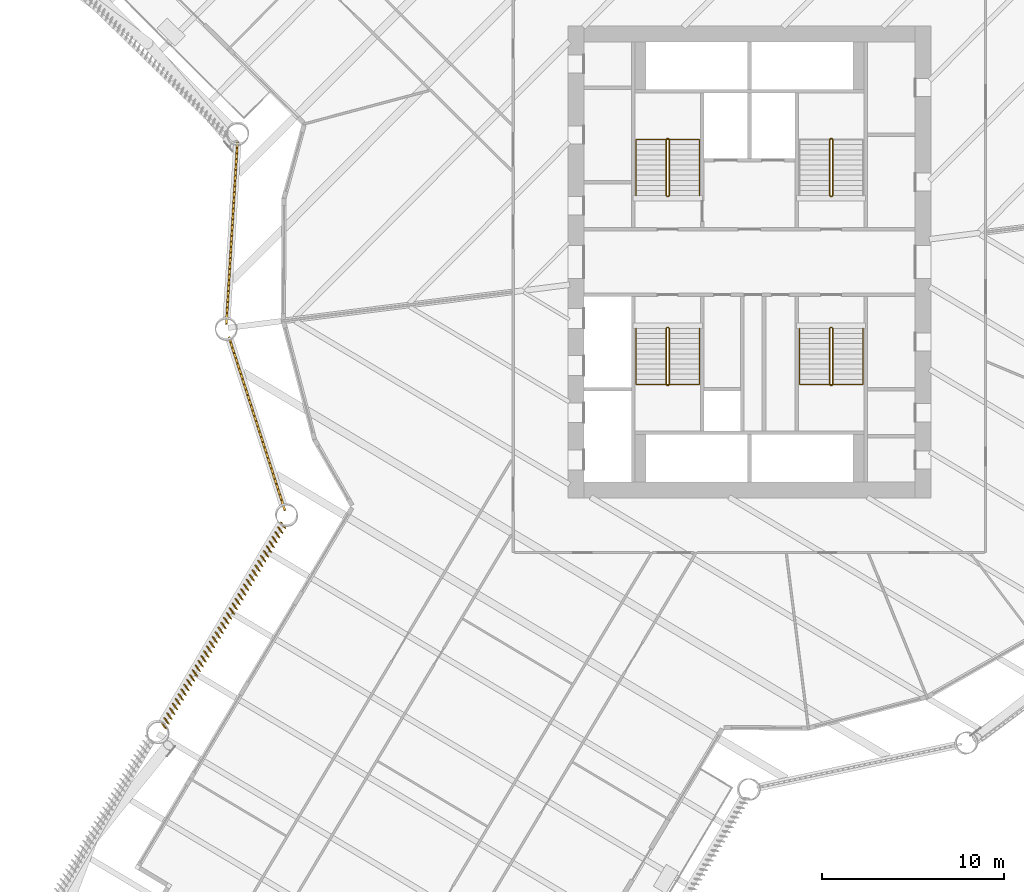
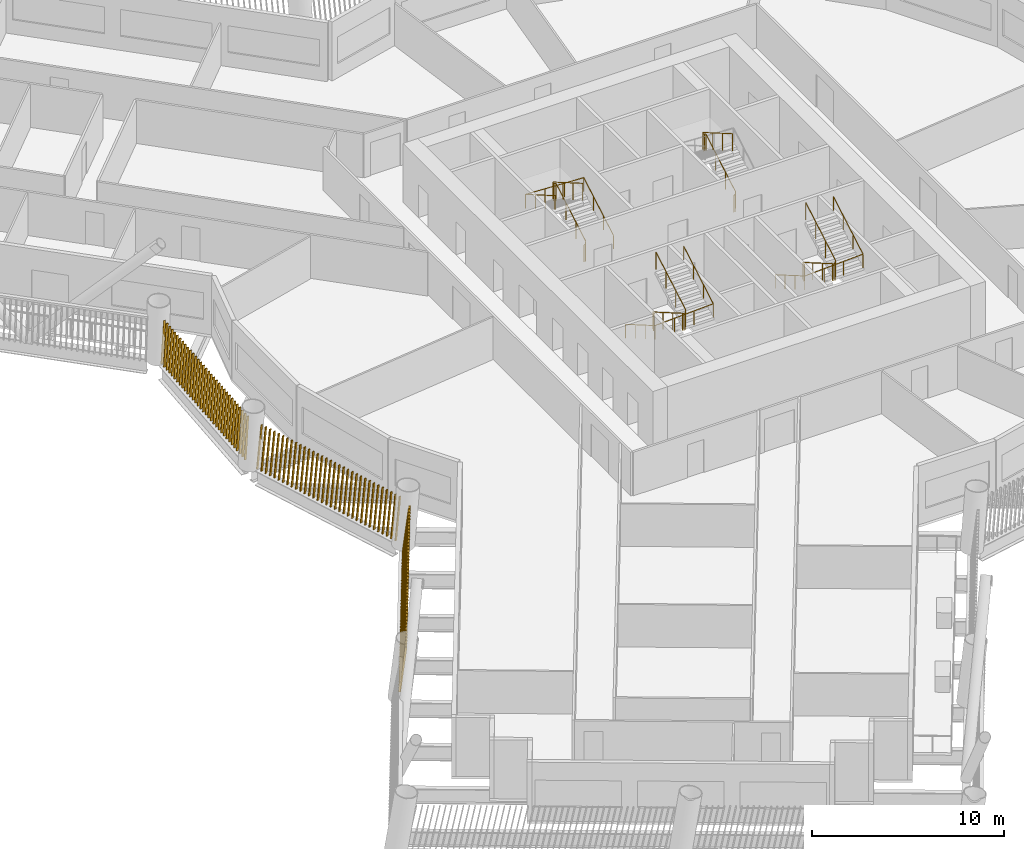
# One storey, part 19 of 22: 7 railings, 3 shading devices.
"""IFC4 building model written with IfcOpenShell, lengths in metres."""

from ifc_helpers import new_model, si_unit, direction, frame, frame_2d, origin, origin_2d, place, context, subcontext, project, spatial, rectangle, circle, composite_profile, extrude, material, type_object, element, save


model = new_model("IFC4")

# Units and contexts
model_context = context("Model", 3, precision=1e-05, world=origin(), true_north=direction((0.0, 1.0)))
body_context = subcontext(model_context, "Body", "Model", "MODEL_VIEW")
ifc_project = project(units=[si_unit("LENGTHUNIT", "METRE"), si_unit("AREAUNIT", "SQUARE_METRE"), si_unit("VOLUMEUNIT", "CUBIC_METRE"), si_unit("PLANEANGLEUNIT", "RADIAN"), si_unit("MASSUNIT", "GRAM", prefix="KILO")], contexts=[model_context])

# Site, building, storey
site_placement = place(None, origin())
site = spatial("IfcSite", under=ifc_project, at=site_placement, CompositionType="ELEMENT")
building_placement = place(site_placement, origin())
building = spatial("IfcBuilding", under=site, at=building_placement, Name="Tarsis Ring Headquarters", CompositionType="ELEMENT")
storey_placement = place(building_placement, frame((0.0, 0.0, 79.0)))
storey = spatial("IfcBuildingStorey", under=building, at=storey_placement, Name="L17", CompositionType="ELEMENT", Elevation=79.0)

# Railings
ifc_material_1 = material(Name="Steel S355", Category="steel")
railing_type_1 = type_object("IfcRailingType", Name="Core stair guard 1100", PredefinedType="GUARDRAIL", material=ifc_material_1)
railing_1_placement = place(storey_placement, frame((-4.5400390625, 3.610107421875, 0.0)))
element("IfcRailing", 1, at=railing_1_placement, inside=storey, type_object=railing_type_1, Name="L17 ST1 stair guard 1", PredefinedType="GUARDRAIL", context=body_context, shape_type="SweptSolid", body=[
    extrude(circle(Radius=0.02392578125, at=origin_2d()), frame((0.0, 0.0, 1.076171875), z_axis=(1.0, 0.0, 0.0), x_axis=(0.0, 1.0, 0.0)), (0.0, 0.0, 1.0), 0.080078125),
    extrude(circle(Radius=0.02392578125, at=origin_2d()), frame((0.080078125, 0.0, 1.076171875), z_axis=(0.282336740067, 0.280959487676, 0.917250092119), x_axis=(-0.705375805398, 0.708833529934, 0.0)), (0.0, 0.0, 1.0), 0.17724609375),
    extrude(circle(Radius=0.02392578125, at=origin_2d()), frame((0.130126953125, 0.0498046875, 1.23876953125), z_axis=(0.0, 0.864920483161, 0.501908913857), x_axis=(-1.0, 0.0, 0.0)), (0.0, 0.0, 1.0), 3.56103515625),
    extrude(circle(Radius=0.02392578125, at=origin_2d()), frame((0.130126953125, 3.1298828125, 3.02587890625), z_axis=(-0.707106781187, 0.707106781187, 0.0), x_axis=(-0.707106781187, -0.707106781187, 0.0)), (0.0, 0.0, 1.0), 0.07080078125),
    extrude(circle(Radius=0.02392578125, at=origin_2d()), frame((0.080078125, 3.179931640625, 3.02587890625), z_axis=(-1.0, 0.0, 0.0), x_axis=(0.0, -1.0, 0.0)), (0.0, 0.0, 1.0), 0.080078125),
    extrude(circle(Radius=0.02392578125, at=origin_2d()), frame((0.0, 3.179931640625, 3.02587890625), z_axis=(-0.282227285176, -0.282227285176, 0.916894497205), x_axis=(0.707106781187, -0.707106781187, 0.0)), (0.0, 0.0, 1.0), 0.17724609375),
    extrude(circle(Radius=0.02392578125, at=origin_2d()), frame((-0.050048828125, 3.1298828125, 3.1884765625), z_axis=(0.0, -0.864920483161, 0.501908913857), x_axis=(1.0, 0.0, 0.0)), (0.0, 0.0, 1.0), 3.56103515625),
    extrude(circle(Radius=0.02099609375, at=origin_2d()), origin(), (0.0, 0.0, 1.0), 1.052001953125),
    extrude(circle(Radius=0.02099609375, at=origin_2d()), frame((0.080078125, 0.0, 0.0)), (0.0, 0.0, 1.0), 1.052001953125),
    extrude(circle(Radius=0.02099609375, at=origin_2d()), frame((0.130126953125, 0.0498046875, 0.16259765625)), (0.0, 0.0, 1.0), 1.052001953125),
    extrude(circle(Radius=0.02099609375, at=origin_2d()), frame((0.130126953125, 1.076416015625, 0.75830078125)), (0.0, 0.0, 1.0), 1.052001953125),
    extrude(circle(Radius=0.02099609375, at=origin_2d()), frame((0.130126953125, 2.103271484375, 1.354248046875)), (0.0, 0.0, 1.0), 1.052001953125),
    extrude(circle(Radius=0.02099609375, at=origin_2d()), frame((0.130126953125, 3.1298828125, 1.949951171875)), (0.0, 0.0, 1.0), 1.052001953125),
    extrude(circle(Radius=0.02099609375, at=origin_2d()), frame((0.080078125, 3.179931640625, 1.949951171875)), (0.0, 0.0, 1.0), 1.052001953125),
    extrude(circle(Radius=0.02099609375, at=origin_2d()), frame((0.0, 3.179931640625, 1.949951171875)), (0.0, 0.0, 1.0), 1.052001953125),
    extrude(circle(Radius=0.02099609375, at=origin_2d()), frame((-0.050048828125, 3.1298828125, 2.112548828125)), (0.0, 0.0, 1.0), 1.052001953125),
    extrude(circle(Radius=0.02099609375, at=origin_2d()), frame((-0.050048828125, 2.103271484375, 2.708251953125)), (0.0, 0.0, 1.0), 1.052001953125),
    extrude(circle(Radius=0.02099609375, at=origin_2d()), frame((-0.050048828125, 1.076416015625, 3.30419921875)), (0.0, 0.0, 1.0), 1.052001953125),
    extrude(circle(Radius=0.02099609375, at=origin_2d()), frame((-0.050048828125, 0.0498046875, 3.89990234375)), (0.0, 0.0, 1.0), 1.052001953125),
])
railing_2_placement = place(storey_placement, frame((4.4599609375, 3.610107421875, 0.0)))
element("IfcRailing", 2, at=railing_2_placement, inside=storey, type_object=railing_type_1, Name="L17 ST2 stair guard 1", PredefinedType="GUARDRAIL", context=body_context, shape_type="SweptSolid", body=[
    extrude(circle(Radius=0.02392578125, at=origin_2d()), frame((0.0, 0.0, 1.076171875), z_axis=(1.0, 0.0, 0.0), x_axis=(0.0, 1.0, 0.0)), (0.0, 0.0, 1.0), 0.080078125),
    extrude(circle(Radius=0.02392578125, at=origin_2d()), frame((0.080078125, 0.0, 1.076171875), z_axis=(0.282336740067, 0.280959487676, 0.917250092119), x_axis=(-0.705375805398, 0.708833529934, 0.0)), (0.0, 0.0, 1.0), 0.17724609375),
    extrude(circle(Radius=0.02392578125, at=origin_2d()), frame((0.130126953125, 0.0498046875, 1.23876953125), z_axis=(0.0, 0.864920483161, 0.501908913857), x_axis=(-1.0, 0.0, 0.0)), (0.0, 0.0, 1.0), 3.56103515625),
    extrude(circle(Radius=0.02392578125, at=origin_2d()), frame((0.130126953125, 3.1298828125, 3.02587890625), z_axis=(-0.707106781187, 0.707106781187, 0.0), x_axis=(-0.707106781187, -0.707106781187, 0.0)), (0.0, 0.0, 1.0), 0.07080078125),
    extrude(circle(Radius=0.02392578125, at=origin_2d()), frame((0.080078125, 3.179931640625, 3.02587890625), z_axis=(-1.0, 0.0, 0.0), x_axis=(0.0, -1.0, 0.0)), (0.0, 0.0, 1.0), 0.080078125),
    extrude(circle(Radius=0.02392578125, at=origin_2d()), frame((0.0, 3.179931640625, 3.02587890625), z_axis=(-0.282227285176, -0.282227285176, 0.916894497205), x_axis=(0.707106781187, -0.707106781187, 0.0)), (0.0, 0.0, 1.0), 0.17724609375),
    extrude(circle(Radius=0.02392578125, at=origin_2d()), frame((-0.050048828125, 3.1298828125, 3.1884765625), z_axis=(0.0, -0.864920483161, 0.501908913857), x_axis=(1.0, 0.0, 0.0)), (0.0, 0.0, 1.0), 3.56103515625),
    extrude(circle(Radius=0.02099609375, at=origin_2d()), origin(), (0.0, 0.0, 1.0), 1.052001953125),
    extrude(circle(Radius=0.02099609375, at=origin_2d()), frame((0.080078125, 0.0, 0.0)), (0.0, 0.0, 1.0), 1.052001953125),
    extrude(circle(Radius=0.02099609375, at=origin_2d()), frame((0.130126953125, 0.0498046875, 0.16259765625)), (0.0, 0.0, 1.0), 1.052001953125),
    extrude(circle(Radius=0.02099609375, at=origin_2d()), frame((0.130126953125, 1.076416015625, 0.75830078125)), (0.0, 0.0, 1.0), 1.052001953125),
    extrude(circle(Radius=0.02099609375, at=origin_2d()), frame((0.130126953125, 2.103271484375, 1.354248046875)), (0.0, 0.0, 1.0), 1.052001953125),
    extrude(circle(Radius=0.02099609375, at=origin_2d()), frame((0.130126953125, 3.1298828125, 1.949951171875)), (0.0, 0.0, 1.0), 1.052001953125),
    extrude(circle(Radius=0.02099609375, at=origin_2d()), frame((0.080078125, 3.179931640625, 1.949951171875)), (0.0, 0.0, 1.0), 1.052001953125),
    extrude(circle(Radius=0.02099609375, at=origin_2d()), frame((0.0, 3.179931640625, 1.949951171875)), (0.0, 0.0, 1.0), 1.052001953125),
    extrude(circle(Radius=0.02099609375, at=origin_2d()), frame((-0.050048828125, 3.1298828125, 2.112548828125)), (0.0, 0.0, 1.0), 1.052001953125),
    extrude(circle(Radius=0.02099609375, at=origin_2d()), frame((-0.050048828125, 2.103271484375, 2.708251953125)), (0.0, 0.0, 1.0), 1.052001953125),
    extrude(circle(Radius=0.02099609375, at=origin_2d()), frame((-0.050048828125, 1.076416015625, 3.30419921875)), (0.0, 0.0, 1.0), 1.052001953125),
    extrude(circle(Radius=0.02099609375, at=origin_2d()), frame((-0.050048828125, 0.0498046875, 3.89990234375)), (0.0, 0.0, 1.0), 1.052001953125),
])
railing_3_placement = place(storey_placement, frame((-4.4599609375, -3.610107421875, 0.0)))
element("IfcRailing", 3, at=railing_3_placement, inside=storey, type_object=railing_type_1, Name="L17 ST3 stair guard 1", PredefinedType="GUARDRAIL", context=body_context, shape_type="SweptSolid", body=[
    extrude(circle(Radius=0.02392578125, at=origin_2d()), frame((0.0, 0.0, 1.076171875), z_axis=(-1.0, 0.0, 0.0), x_axis=(0.0, -1.0, 0.0)), (0.0, 0.0, 1.0), 0.080078125),
    extrude(circle(Radius=0.02392578125, at=origin_2d()), frame((-0.080078125, 0.0, 1.076171875), z_axis=(-0.282336740067, -0.280959487676, 0.917250092119), x_axis=(0.705375805398, -0.708833529934, 0.0)), (0.0, 0.0, 1.0), 0.17724609375),
    extrude(circle(Radius=0.02392578125, at=origin_2d()), frame((-0.130126953125, -0.0498046875, 1.23876953125), z_axis=(0.0, -0.864920483161, 0.501908913857), x_axis=(1.0, 0.0, 0.0)), (0.0, 0.0, 1.0), 3.56103515625),
    extrude(circle(Radius=0.02392578125, at=origin_2d()), frame((-0.130126953125, -3.1298828125, 3.02587890625), z_axis=(0.707106781187, -0.707106781187, 0.0), x_axis=(0.707106781187, 0.707106781187, 0.0)), (0.0, 0.0, 1.0), 0.07080078125),
    extrude(circle(Radius=0.02392578125, at=origin_2d()), frame((-0.080078125, -3.179931640625, 3.02587890625), z_axis=(1.0, 0.0, 0.0), x_axis=(0.0, 1.0, 0.0)), (0.0, 0.0, 1.0), 0.080078125),
    extrude(circle(Radius=0.02392578125, at=origin_2d()), frame((0.0, -3.179931640625, 3.02587890625), z_axis=(0.282227285176, 0.282227285176, 0.916894497205), x_axis=(-0.707106781187, 0.707106781187, 0.0)), (0.0, 0.0, 1.0), 0.17724609375),
    extrude(circle(Radius=0.02392578125, at=origin_2d()), frame((0.050048828125, -3.1298828125, 3.1884765625), z_axis=(0.0, 0.864920483161, 0.501908913857), x_axis=(-1.0, 0.0, 0.0)), (0.0, 0.0, 1.0), 3.56103515625),
    extrude(circle(Radius=0.02099609375, at=origin_2d()), origin(), (0.0, 0.0, 1.0), 1.052001953125),
    extrude(circle(Radius=0.02099609375, at=origin_2d()), frame((-0.080078125, 0.0, 0.0)), (0.0, 0.0, 1.0), 1.052001953125),
    extrude(circle(Radius=0.02099609375, at=origin_2d()), frame((-0.130126953125, -0.0498046875, 0.16259765625)), (0.0, 0.0, 1.0), 1.052001953125),
    extrude(circle(Radius=0.02099609375, at=origin_2d()), frame((-0.130126953125, -1.076416015625, 0.75830078125)), (0.0, 0.0, 1.0), 1.052001953125),
    extrude(circle(Radius=0.02099609375, at=origin_2d()), frame((-0.130126953125, -2.103271484375, 1.354248046875)), (0.0, 0.0, 1.0), 1.052001953125),
    extrude(circle(Radius=0.02099609375, at=origin_2d()), frame((-0.130126953125, -3.1298828125, 1.949951171875)), (0.0, 0.0, 1.0), 1.052001953125),
    extrude(circle(Radius=0.02099609375, at=origin_2d()), frame((-0.080078125, -3.179931640625, 1.949951171875)), (0.0, 0.0, 1.0), 1.052001953125),
    extrude(circle(Radius=0.02099609375, at=origin_2d()), frame((0.0, -3.179931640625, 1.949951171875)), (0.0, 0.0, 1.0), 1.052001953125),
    extrude(circle(Radius=0.02099609375, at=origin_2d()), frame((0.050048828125, -3.1298828125, 2.112548828125)), (0.0, 0.0, 1.0), 1.052001953125),
    extrude(circle(Radius=0.02099609375, at=origin_2d()), frame((0.050048828125, -2.103271484375, 2.708251953125)), (0.0, 0.0, 1.0), 1.052001953125),
    extrude(circle(Radius=0.02099609375, at=origin_2d()), frame((0.050048828125, -1.076416015625, 3.30419921875)), (0.0, 0.0, 1.0), 1.052001953125),
    extrude(circle(Radius=0.02099609375, at=origin_2d()), frame((0.050048828125, -0.0498046875, 3.89990234375)), (0.0, 0.0, 1.0), 1.052001953125),
])
railing_4_placement = place(storey_placement, frame((4.5400390625, -3.610107421875, 0.0)))
element("IfcRailing", 4, at=railing_4_placement, inside=storey, type_object=railing_type_1, Name="L17 ST4 stair guard 1", PredefinedType="GUARDRAIL", context=body_context, shape_type="SweptSolid", body=[
    extrude(circle(Radius=0.02392578125, at=origin_2d()), frame((0.0, 0.0, 1.076171875), z_axis=(-1.0, 0.0, 0.0), x_axis=(0.0, -1.0, 0.0)), (0.0, 0.0, 1.0), 0.080078125),
    extrude(circle(Radius=0.02392578125, at=origin_2d()), frame((-0.080078125, 0.0, 1.076171875), z_axis=(-0.282336740067, -0.280959487676, 0.917250092119), x_axis=(0.705375805398, -0.708833529934, 0.0)), (0.0, 0.0, 1.0), 0.17724609375),
    extrude(circle(Radius=0.02392578125, at=origin_2d()), frame((-0.130126953125, -0.0498046875, 1.23876953125), z_axis=(0.0, -0.864920483161, 0.501908913857), x_axis=(1.0, 0.0, 0.0)), (0.0, 0.0, 1.0), 3.56103515625),
    extrude(circle(Radius=0.02392578125, at=origin_2d()), frame((-0.130126953125, -3.1298828125, 3.02587890625), z_axis=(0.707106781187, -0.707106781187, 0.0), x_axis=(0.707106781187, 0.707106781187, 0.0)), (0.0, 0.0, 1.0), 0.07080078125),
    extrude(circle(Radius=0.02392578125, at=origin_2d()), frame((-0.080078125, -3.179931640625, 3.02587890625), z_axis=(1.0, 0.0, 0.0), x_axis=(0.0, 1.0, 0.0)), (0.0, 0.0, 1.0), 0.080078125),
    extrude(circle(Radius=0.02392578125, at=origin_2d()), frame((0.0, -3.179931640625, 3.02587890625), z_axis=(0.282227285176, 0.282227285176, 0.916894497205), x_axis=(-0.707106781187, 0.707106781187, 0.0)), (0.0, 0.0, 1.0), 0.17724609375),
    extrude(circle(Radius=0.02392578125, at=origin_2d()), frame((0.050048828125, -3.1298828125, 3.1884765625), z_axis=(0.0, 0.864920483161, 0.501908913857), x_axis=(-1.0, 0.0, 0.0)), (0.0, 0.0, 1.0), 3.56103515625),
    extrude(circle(Radius=0.02099609375, at=origin_2d()), origin(), (0.0, 0.0, 1.0), 1.052001953125),
    extrude(circle(Radius=0.02099609375, at=origin_2d()), frame((-0.080078125, 0.0, 0.0)), (0.0, 0.0, 1.0), 1.052001953125),
    extrude(circle(Radius=0.02099609375, at=origin_2d()), frame((-0.130126953125, -0.0498046875, 0.16259765625)), (0.0, 0.0, 1.0), 1.052001953125),
    extrude(circle(Radius=0.02099609375, at=origin_2d()), frame((-0.130126953125, -1.076416015625, 0.75830078125)), (0.0, 0.0, 1.0), 1.052001953125),
    extrude(circle(Radius=0.02099609375, at=origin_2d()), frame((-0.130126953125, -2.103271484375, 1.354248046875)), (0.0, 0.0, 1.0), 1.052001953125),
    extrude(circle(Radius=0.02099609375, at=origin_2d()), frame((-0.130126953125, -3.1298828125, 1.949951171875)), (0.0, 0.0, 1.0), 1.052001953125),
    extrude(circle(Radius=0.02099609375, at=origin_2d()), frame((-0.080078125, -3.179931640625, 1.949951171875)), (0.0, 0.0, 1.0), 1.052001953125),
    extrude(circle(Radius=0.02099609375, at=origin_2d()), frame((0.0, -3.179931640625, 1.949951171875)), (0.0, 0.0, 1.0), 1.052001953125),
    extrude(circle(Radius=0.02099609375, at=origin_2d()), frame((0.050048828125, -3.1298828125, 2.112548828125)), (0.0, 0.0, 1.0), 1.052001953125),
    extrude(circle(Radius=0.02099609375, at=origin_2d()), frame((0.050048828125, -2.103271484375, 2.708251953125)), (0.0, 0.0, 1.0), 1.052001953125),
    extrude(circle(Radius=0.02099609375, at=origin_2d()), frame((0.050048828125, -1.076416015625, 3.30419921875)), (0.0, 0.0, 1.0), 1.052001953125),
    extrude(circle(Radius=0.02099609375, at=origin_2d()), frame((0.050048828125, -0.0498046875, 3.89990234375)), (0.0, 0.0, 1.0), 1.052001953125),
])
railing_type_2 = type_object("IfcRailingType", Name="Core stair handrail 900", PredefinedType="HANDRAIL", material=ifc_material_1)
railing_5_placement = place(storey_placement, frame((-2.75, 3.659912109375, 0.16259765625)))
element("IfcRailing", 5, at=railing_5_placement, inside=storey, type_object=railing_type_2, Name="L17 ST1 stair handrail 1", PredefinedType="HANDRAIL", context=body_context, shape_type="SweptSolid", body=[
    extrude(circle(Radius=0.02392578125, at=origin_2d()), frame((0.0, 0.0, 0.8759765625), z_axis=(0.0, 0.864920483161, 0.501908913857), x_axis=(-1.0, 0.0, 0.0)), (0.0, 0.0, 1.0), 3.56103515625),
    extrude(circle(Radius=0.02392578125, at=origin_2d()), frame((0.0, 3.080078125, 2.6630859375), z_axis=(-0.998922641604, 0.0, 0.046406422943), x_axis=(0.0, -1.0, 0.0)), (0.0, 0.0, 1.0), 3.503662109375),
    extrude(circle(Radius=0.02392578125, at=origin_2d()), frame((-3.5, 3.080078125, 2.82568359375), z_axis=(0.0, -0.864920483161, 0.501908913857), x_axis=(1.0, 0.0, 0.0)), (0.0, 0.0, 1.0), 3.56103515625),
    extrude(circle(Radius=0.02099609375, at=origin_2d()), origin(), (0.0, 0.0, 1.0), 0.851806640625),
    extrude(circle(Radius=0.02099609375, at=origin_2d()), frame((0.0, 1.026611328125, 0.595703125)), (0.0, 0.0, 1.0), 0.851806640625),
    extrude(circle(Radius=0.02099609375, at=origin_2d()), frame((0.0, 2.053466796875, 1.191650390625)), (0.0, 0.0, 1.0), 0.851806640625),
    extrude(circle(Radius=0.02099609375, at=origin_2d()), frame((0.0, 3.080078125, 1.787353515625)), (0.0, 0.0, 1.0), 0.851806640625),
    extrude(circle(Radius=0.02099609375, at=origin_2d()), frame((-1.166748046875, 3.080078125, 1.841552734375)), (0.0, 0.0, 1.0), 0.851806640625),
    extrude(circle(Radius=0.02099609375, at=origin_2d()), frame((-2.333251953125, 3.080078125, 1.895751953125)), (0.0, 0.0, 1.0), 0.851806640625),
    extrude(circle(Radius=0.02099609375, at=origin_2d()), frame((-3.5, 3.080078125, 1.949951171875)), (0.0, 0.0, 1.0), 0.851806640625),
    extrude(circle(Radius=0.02099609375, at=origin_2d()), frame((-3.5, 2.053466796875, 2.545654296875)), (0.0, 0.0, 1.0), 0.851806640625),
    extrude(circle(Radius=0.02099609375, at=origin_2d()), frame((-3.5, 1.026611328125, 3.1416015625)), (0.0, 0.0, 1.0), 0.851806640625),
    extrude(circle(Radius=0.02099609375, at=origin_2d()), frame((-3.5, 0.0, 3.7373046875)), (0.0, 0.0, 1.0), 0.851806640625),
])
railing_6_placement = place(storey_placement, frame((-6.25, -3.659912109375, 0.16259765625)))
element("IfcRailing", 6, at=railing_6_placement, inside=storey, type_object=railing_type_2, Name="L17 ST3 stair handrail 1", PredefinedType="HANDRAIL", context=body_context, shape_type="SweptSolid", body=[
    extrude(circle(Radius=0.02392578125, at=origin_2d()), frame((0.0, 0.0, 0.8759765625), z_axis=(0.0, -0.864920483161, 0.501908913857), x_axis=(1.0, 0.0, 0.0)), (0.0, 0.0, 1.0), 3.56103515625),
    extrude(circle(Radius=0.02392578125, at=origin_2d()), frame((0.0, -3.080078125, 2.6630859375), z_axis=(0.998922641604, 0.0, 0.046406422943), x_axis=(0.0, 1.0, 0.0)), (0.0, 0.0, 1.0), 3.503662109375),
    extrude(circle(Radius=0.02392578125, at=origin_2d()), frame((3.5, -3.080078125, 2.82568359375), z_axis=(0.0, 0.864920483161, 0.501908913857), x_axis=(-1.0, 0.0, 0.0)), (0.0, 0.0, 1.0), 3.56103515625),
    extrude(circle(Radius=0.02099609375, at=origin_2d()), origin(), (0.0, 0.0, 1.0), 0.851806640625),
    extrude(circle(Radius=0.02099609375, at=origin_2d()), frame((0.0, -1.026611328125, 0.595703125)), (0.0, 0.0, 1.0), 0.851806640625),
    extrude(circle(Radius=0.02099609375, at=origin_2d()), frame((0.0, -2.053466796875, 1.191650390625)), (0.0, 0.0, 1.0), 0.851806640625),
    extrude(circle(Radius=0.02099609375, at=origin_2d()), frame((0.0, -3.080078125, 1.787353515625)), (0.0, 0.0, 1.0), 0.851806640625),
    extrude(circle(Radius=0.02099609375, at=origin_2d()), frame((1.166748046875, -3.080078125, 1.841552734375)), (0.0, 0.0, 1.0), 0.851806640625),
    extrude(circle(Radius=0.02099609375, at=origin_2d()), frame((2.333251953125, -3.080078125, 1.895751953125)), (0.0, 0.0, 1.0), 0.851806640625),
    extrude(circle(Radius=0.02099609375, at=origin_2d()), frame((3.5, -3.080078125, 1.949951171875)), (0.0, 0.0, 1.0), 0.851806640625),
    extrude(circle(Radius=0.02099609375, at=origin_2d()), frame((3.5, -2.053466796875, 2.545654296875)), (0.0, 0.0, 1.0), 0.851806640625),
    extrude(circle(Radius=0.02099609375, at=origin_2d()), frame((3.5, -1.026611328125, 3.1416015625)), (0.0, 0.0, 1.0), 0.851806640625),
    extrude(circle(Radius=0.02099609375, at=origin_2d()), frame((3.5, 0.0, 3.7373046875)), (0.0, 0.0, 1.0), 0.851806640625),
])
railing_7_placement = place(storey_placement, frame((2.75, -3.659912109375, 0.16259765625)))
element("IfcRailing", 7, at=railing_7_placement, inside=storey, type_object=railing_type_2, Name="L17 ST4 stair handrail 1", PredefinedType="HANDRAIL", context=body_context, shape_type="SweptSolid", body=[
    extrude(circle(Radius=0.02392578125, at=origin_2d()), frame((0.0, 0.0, 0.8759765625), z_axis=(0.0, -0.864920483161, 0.501908913857), x_axis=(1.0, 0.0, 0.0)), (0.0, 0.0, 1.0), 3.56103515625),
    extrude(circle(Radius=0.02392578125, at=origin_2d()), frame((0.0, -3.080078125, 2.6630859375), z_axis=(0.998922641604, 0.0, 0.046406422943), x_axis=(0.0, 1.0, 0.0)), (0.0, 0.0, 1.0), 3.503662109375),
    extrude(circle(Radius=0.02392578125, at=origin_2d()), frame((3.5, -3.080078125, 2.82568359375), z_axis=(0.0, 0.864920483161, 0.501908913857), x_axis=(-1.0, 0.0, 0.0)), (0.0, 0.0, 1.0), 3.56103515625),
    extrude(circle(Radius=0.02099609375, at=origin_2d()), origin(), (0.0, 0.0, 1.0), 0.851806640625),
    extrude(circle(Radius=0.02099609375, at=origin_2d()), frame((0.0, -1.026611328125, 0.595703125)), (0.0, 0.0, 1.0), 0.851806640625),
    extrude(circle(Radius=0.02099609375, at=origin_2d()), frame((0.0, -2.053466796875, 1.191650390625)), (0.0, 0.0, 1.0), 0.851806640625),
    extrude(circle(Radius=0.02099609375, at=origin_2d()), frame((0.0, -3.080078125, 1.787353515625)), (0.0, 0.0, 1.0), 0.851806640625),
    extrude(circle(Radius=0.02099609375, at=origin_2d()), frame((1.166748046875, -3.080078125, 1.841552734375)), (0.0, 0.0, 1.0), 0.851806640625),
    extrude(circle(Radius=0.02099609375, at=origin_2d()), frame((2.333251953125, -3.080078125, 1.895751953125)), (0.0, 0.0, 1.0), 0.851806640625),
    extrude(circle(Radius=0.02099609375, at=origin_2d()), frame((3.5, -3.080078125, 1.949951171875)), (0.0, 0.0, 1.0), 0.851806640625),
    extrude(circle(Radius=0.02099609375, at=origin_2d()), frame((3.5, -2.053466796875, 2.545654296875)), (0.0, 0.0, 1.0), 0.851806640625),
    extrude(circle(Radius=0.02099609375, at=origin_2d()), frame((3.5, -1.026611328125, 3.1416015625)), (0.0, 0.0, 1.0), 0.851806640625),
    extrude(circle(Radius=0.02099609375, at=origin_2d()), frame((3.5, 0.0, 3.7373046875)), (0.0, 0.0, 1.0), 0.851806640625),
])

# Shading devices
ifc_material_2 = material(Name="Terracotta baguette", Category="masonry")
shading_device_type = type_object("IfcShadingDeviceType", Name="Terracotta baguette screen", PredefinedType="USERDEFINED", material=ifc_material_2)
shading_device_1_placement = place(storey_placement, frame((-28.666015625, -4.11669921875, 0.0), z_axis=(0.0, 0.0, 1.0), x_axis=(0.307115730562, -0.951678992604, 0.0)))
element("IfcShadingDevice", 8, at=shading_device_1_placement, inside=storey, type_object=shading_device_type, Name="Baguette screen L17-00", ObjectType="Terracotta baguette screen", PredefinedType="USERDEFINED", context=body_context, shape_type="SweptSolid", body=[
    extrude(composite_profile([rectangle(XDim=0.06005859375, YDim=0.1201171875, at=frame_2d((0.030029296875, 0.0))), rectangle(XDim=0.06005859375, YDim=0.1201171875, at=frame_2d((0.33349609375, 0.0))), rectangle(XDim=0.06005859375, YDim=0.1201171875, at=frame_2d((0.636962890625, 0.0))), rectangle(XDim=0.06005859375, YDim=0.1201171875, at=frame_2d((0.9404296875, 0.0))), rectangle(XDim=0.06005859375, YDim=0.1201171875, at=frame_2d((1.243896484375, 0.0))), rectangle(XDim=0.06005859375, YDim=0.1201171875, at=frame_2d((1.54736328125, 0.0))), rectangle(XDim=0.06005859375, YDim=0.1201171875, at=frame_2d((1.850830078125, 0.0))), rectangle(XDim=0.06005859375, YDim=0.1201171875, at=frame_2d((2.154296875, 0.0))), rectangle(XDim=0.06005859375, YDim=0.1201171875, at=frame_2d((2.4580078125, 0.0))), rectangle(XDim=0.06005859375, YDim=0.1201171875, at=frame_2d((2.761474609375, 0.0))), rectangle(XDim=0.06005859375, YDim=0.1201171875, at=frame_2d((3.06494140625, 0.0))), rectangle(XDim=0.06005859375, YDim=0.1201171875, at=frame_2d((3.368408203125, 0.0))), rectangle(XDim=0.06005859375, YDim=0.1201171875, at=frame_2d((3.671875, 0.0))), rectangle(XDim=0.06005859375, YDim=0.1201171875, at=frame_2d((3.975341796875, 0.0))), rectangle(XDim=0.06005859375, YDim=0.1201171875, at=frame_2d((4.27880859375, 0.0))), rectangle(XDim=0.06005859375, YDim=0.1201171875, at=frame_2d((4.582275390625, 0.0))), rectangle(XDim=0.06005859375, YDim=0.1201171875, at=frame_2d((4.8857421875, 0.0))), rectangle(XDim=0.06005859375, YDim=0.1201171875, at=frame_2d((5.189208984375, 0.0))), rectangle(XDim=0.06005859375, YDim=0.1201171875, at=frame_2d((5.49267578125, 0.0))), rectangle(XDim=0.06005859375, YDim=0.1201171875, at=frame_2d((5.796142578125, 0.0))), rectangle(XDim=0.06005859375, YDim=0.1201171875, at=frame_2d((6.099609375, 0.0))), rectangle(XDim=0.06005859375, YDim=0.1201171875, at=frame_2d((6.403076171875, 0.0))), rectangle(XDim=0.06005859375, YDim=0.1201171875, at=frame_2d((6.70654296875, 0.0))), rectangle(XDim=0.06005859375, YDim=0.1201171875, at=frame_2d((7.010009765625, 0.0))), rectangle(XDim=0.06005859375, YDim=0.1201171875, at=frame_2d((7.3134765625, 0.0))), rectangle(XDim=0.06005859375, YDim=0.1201171875, at=frame_2d((7.6171875, 0.0))), rectangle(XDim=0.06005859375, YDim=0.1201171875, at=frame_2d((7.920654296875, 0.0))), rectangle(XDim=0.06005859375, YDim=0.1201171875, at=frame_2d((8.22412109375, 0.0))), rectangle(XDim=0.06005859375, YDim=0.1201171875, at=frame_2d((8.527587890625, 0.0))), rectangle(XDim=0.06005859375, YDim=0.1201171875, at=frame_2d((8.8310546875, 0.0))), rectangle(XDim=0.06005859375, YDim=0.1201171875, at=frame_2d((9.134521484375, 0.0))), rectangle(XDim=0.06005859375, YDim=0.1201171875, at=frame_2d((9.43798828125, 0.0))), rectangle(XDim=0.06005859375, YDim=0.1201171875, at=frame_2d((9.741455078125, 0.0)))]), origin(), (0.100722636821, 0.000526474397, 0.99491440499), 2.9677734375),
])
shading_device_2_placement = place(storey_placement, frame((-25.767333984375, -14.3212890625, 0.0), z_axis=(0.0, 0.0, 1.0), x_axis=(-0.51205343627, -0.858953981229, 0.0)))
element("IfcShadingDevice", 9, at=shading_device_2_placement, inside=storey, type_object=shading_device_type, Name="Baguette screen L17-01", ObjectType="Terracotta baguette screen", PredefinedType="USERDEFINED", context=body_context, shape_type="SweptSolid", body=[
    extrude(composite_profile([rectangle(XDim=0.06005859375, YDim=0.1201171875, at=frame_2d((0.030029296875, 0.0))), rectangle(XDim=0.06005859375, YDim=0.1201171875, at=frame_2d((0.335693359375, 0.0))), rectangle(XDim=0.06005859375, YDim=0.1201171875, at=frame_2d((0.6416015625, 0.0))), rectangle(XDim=0.06005859375, YDim=0.1201171875, at=frame_2d((0.947265625, 0.0))), rectangle(XDim=0.06005859375, YDim=0.1201171875, at=frame_2d((1.253173828125, 0.0))), rectangle(XDim=0.06005859375, YDim=0.1201171875, at=frame_2d((1.558837890625, 0.0))), rectangle(XDim=0.06005859375, YDim=0.1201171875, at=frame_2d((1.864501953125, 0.0))), rectangle(XDim=0.06005859375, YDim=0.1201171875, at=frame_2d((2.17041015625, 0.0))), rectangle(XDim=0.06005859375, YDim=0.1201171875, at=frame_2d((2.47607421875, 0.0))), rectangle(XDim=0.06005859375, YDim=0.1201171875, at=frame_2d((2.781982421875, 0.0))), rectangle(XDim=0.06005859375, YDim=0.1201171875, at=frame_2d((3.087646484375, 0.0))), rectangle(XDim=0.06005859375, YDim=0.1201171875, at=frame_2d((3.393310546875, 0.0))), rectangle(XDim=0.06005859375, YDim=0.1201171875, at=frame_2d((3.69921875, 0.0))), rectangle(XDim=0.06005859375, YDim=0.1201171875, at=frame_2d((4.0048828125, 0.0))), rectangle(XDim=0.06005859375, YDim=0.1201171875, at=frame_2d((4.310791015625, 0.0))), rectangle(XDim=0.06005859375, YDim=0.1201171875, at=frame_2d((4.616455078125, 0.0))), rectangle(XDim=0.06005859375, YDim=0.1201171875, at=frame_2d((4.922119140625, 0.0))), rectangle(XDim=0.06005859375, YDim=0.1201171875, at=frame_2d((5.22802734375, 0.0))), rectangle(XDim=0.06005859375, YDim=0.1201171875, at=frame_2d((5.53369140625, 0.0))), rectangle(XDim=0.06005859375, YDim=0.1201171875, at=frame_2d((5.839599609375, 0.0))), rectangle(XDim=0.06005859375, YDim=0.1201171875, at=frame_2d((6.145263671875, 0.0))), rectangle(XDim=0.06005859375, YDim=0.1201171875, at=frame_2d((6.451171875, 0.0))), rectangle(XDim=0.06005859375, YDim=0.1201171875, at=frame_2d((6.7568359375, 0.0))), rectangle(XDim=0.06005859375, YDim=0.1201171875, at=frame_2d((7.0625, 0.0))), rectangle(XDim=0.06005859375, YDim=0.1201171875, at=frame_2d((7.368408203125, 0.0))), rectangle(XDim=0.06005859375, YDim=0.1201171875, at=frame_2d((7.674072265625, 0.0))), rectangle(XDim=0.06005859375, YDim=0.1201171875, at=frame_2d((7.97998046875, 0.0))), rectangle(XDim=0.06005859375, YDim=0.1201171875, at=frame_2d((8.28564453125, 0.0))), rectangle(XDim=0.06005859375, YDim=0.1201171875, at=frame_2d((8.59130859375, 0.0))), rectangle(XDim=0.06005859375, YDim=0.1201171875, at=frame_2d((8.897216796875, 0.0))), rectangle(XDim=0.06005859375, YDim=0.1201171875, at=frame_2d((9.202880859375, 0.0))), rectangle(XDim=0.06005859375, YDim=0.1201171875, at=frame_2d((9.5087890625, 0.0))), rectangle(XDim=0.06005859375, YDim=0.1201171875, at=frame_2d((9.814453125, 0.0))), rectangle(XDim=0.06005859375, YDim=0.1201171875, at=frame_2d((10.1201171875, 0.0))), rectangle(XDim=0.06005859375, YDim=0.1201171875, at=frame_2d((10.426025390625, 0.0))), rectangle(XDim=0.06005859375, YDim=0.1201171875, at=frame_2d((10.731689453125, 0.0))), rectangle(XDim=0.06005859375, YDim=0.1201171875, at=frame_2d((11.03759765625, 0.0))), rectangle(XDim=0.06005859375, YDim=0.1201171875, at=frame_2d((11.34326171875, 0.0))), rectangle(XDim=0.06005859375, YDim=0.1201171875, at=frame_2d((11.64892578125, 0.0))), rectangle(XDim=0.06005859375, YDim=0.1201171875, at=frame_2d((11.954833984375, 0.0))), rectangle(XDim=0.06005859375, YDim=0.1201171875, at=frame_2d((12.260498046875, 0.0))), rectangle(XDim=0.06005859375, YDim=0.1201171875, at=frame_2d((12.56640625, 0.0))), rectangle(XDim=0.06005859375, YDim=0.1201171875, at=frame_2d((12.8720703125, 0.0)))]), origin(), (0.051494860591, 0.112701596839, 0.992293620559), 2.9755859375),
])
shading_device_3_placement = place(storey_placement, frame((-28.195068359375, 6.612060546875, 0.0), z_axis=(0.0, 0.0, 1.0), x_axis=(-0.06078700812, -0.998151155528, 0.0)))
element("IfcShadingDevice", 10, at=shading_device_3_placement, inside=storey, type_object=shading_device_type, Name="Baguette screen L17-21", ObjectType="Terracotta baguette screen", PredefinedType="USERDEFINED", context=body_context, shape_type="SweptSolid", body=[
    extrude(composite_profile([rectangle(XDim=0.06005859375, YDim=0.1201171875, at=frame_2d((0.030029296875, 0.0))), rectangle(XDim=0.06005859375, YDim=0.1201171875, at=frame_2d((0.33349609375, 0.0))), rectangle(XDim=0.06005859375, YDim=0.1201171875, at=frame_2d((0.636962890625, 0.0))), rectangle(XDim=0.06005859375, YDim=0.1201171875, at=frame_2d((0.9404296875, 0.0))), rectangle(XDim=0.06005859375, YDim=0.1201171875, at=frame_2d((1.243896484375, 0.0))), rectangle(XDim=0.06005859375, YDim=0.1201171875, at=frame_2d((1.54736328125, 0.0))), rectangle(XDim=0.06005859375, YDim=0.1201171875, at=frame_2d((1.85107421875, 0.0))), rectangle(XDim=0.06005859375, YDim=0.1201171875, at=frame_2d((2.154541015625, 0.0))), rectangle(XDim=0.06005859375, YDim=0.1201171875, at=frame_2d((2.4580078125, 0.0))), rectangle(XDim=0.06005859375, YDim=0.1201171875, at=frame_2d((2.761474609375, 0.0))), rectangle(XDim=0.06005859375, YDim=0.1201171875, at=frame_2d((3.06494140625, 0.0))), rectangle(XDim=0.06005859375, YDim=0.1201171875, at=frame_2d((3.368408203125, 0.0))), rectangle(XDim=0.06005859375, YDim=0.1201171875, at=frame_2d((3.671875, 0.0))), rectangle(XDim=0.06005859375, YDim=0.1201171875, at=frame_2d((3.975341796875, 0.0))), rectangle(XDim=0.06005859375, YDim=0.1201171875, at=frame_2d((4.27880859375, 0.0))), rectangle(XDim=0.06005859375, YDim=0.1201171875, at=frame_2d((4.582275390625, 0.0))), rectangle(XDim=0.06005859375, YDim=0.1201171875, at=frame_2d((4.8857421875, 0.0))), rectangle(XDim=0.06005859375, YDim=0.1201171875, at=frame_2d((5.189453125, 0.0))), rectangle(XDim=0.06005859375, YDim=0.1201171875, at=frame_2d((5.492919921875, 0.0))), rectangle(XDim=0.06005859375, YDim=0.1201171875, at=frame_2d((5.79638671875, 0.0))), rectangle(XDim=0.06005859375, YDim=0.1201171875, at=frame_2d((6.099853515625, 0.0))), rectangle(XDim=0.06005859375, YDim=0.1201171875, at=frame_2d((6.4033203125, 0.0))), rectangle(XDim=0.06005859375, YDim=0.1201171875, at=frame_2d((6.706787109375, 0.0))), rectangle(XDim=0.06005859375, YDim=0.1201171875, at=frame_2d((7.01025390625, 0.0))), rectangle(XDim=0.06005859375, YDim=0.1201171875, at=frame_2d((7.313720703125, 0.0))), rectangle(XDim=0.06005859375, YDim=0.1201171875, at=frame_2d((7.6171875, 0.0))), rectangle(XDim=0.06005859375, YDim=0.1201171875, at=frame_2d((7.920654296875, 0.0))), rectangle(XDim=0.06005859375, YDim=0.1201171875, at=frame_2d((8.224365234375, 0.0))), rectangle(XDim=0.06005859375, YDim=0.1201171875, at=frame_2d((8.52783203125, 0.0))), rectangle(XDim=0.06005859375, YDim=0.1201171875, at=frame_2d((8.831298828125, 0.0))), rectangle(XDim=0.06005859375, YDim=0.1201171875, at=frame_2d((9.134765625, 0.0))), rectangle(XDim=0.06005859375, YDim=0.1201171875, at=frame_2d((9.438232421875, 0.0))), rectangle(XDim=0.06005859375, YDim=0.1201171875, at=frame_2d((9.74169921875, 0.0)))]), origin(), (0.100722042681, 0.000527364314, 0.994914464668), 2.9677734375),
])

save(model, "model.ifc")
